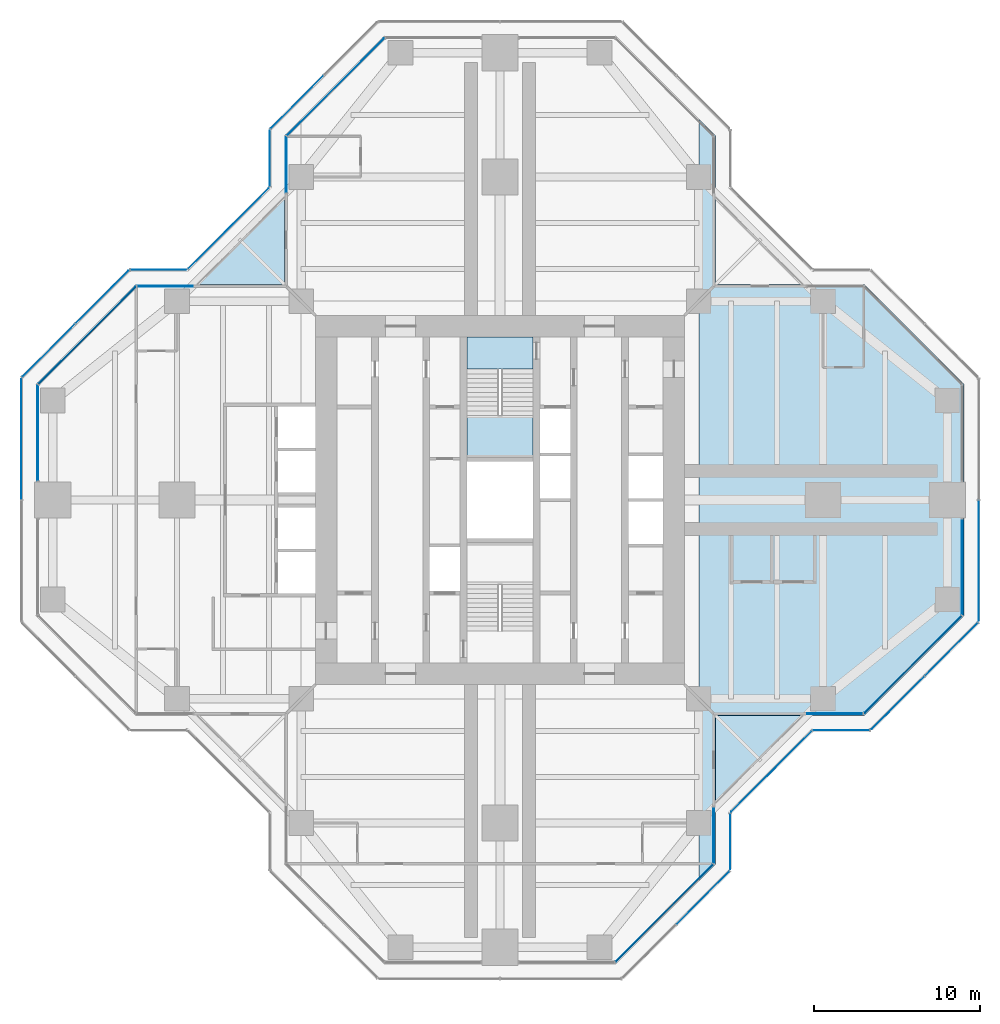
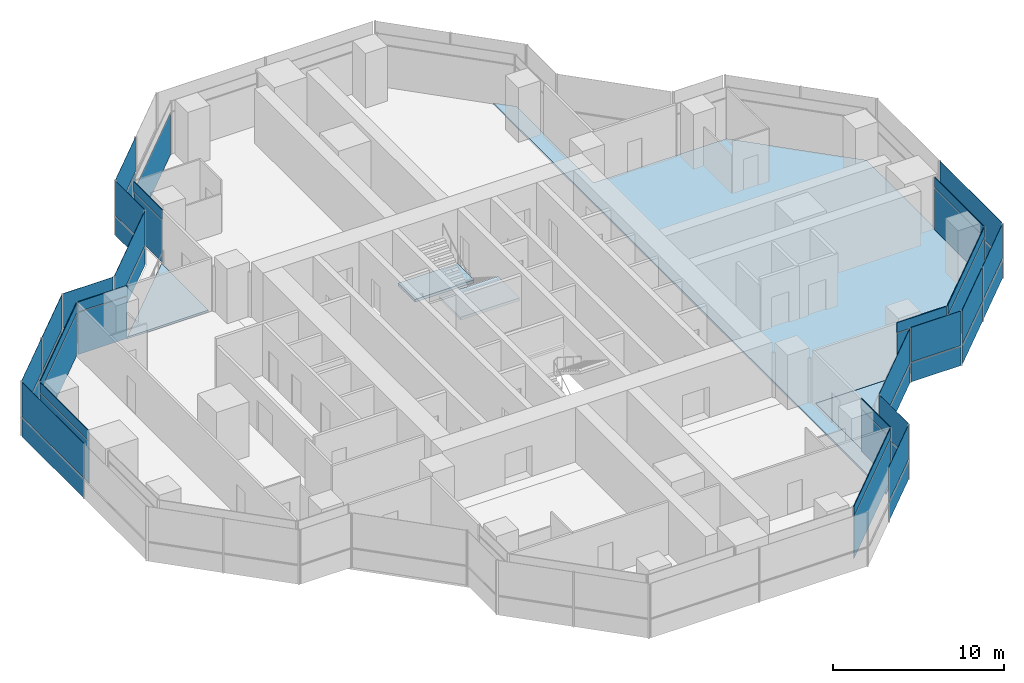
# One storey, part 11 of 17: 47 plates, 5 slabs, 23 elements without a shape of their own.
"""IFC4 building model written with IfcOpenShell, lengths in metres."""

import ifcopenshell
import ifcopenshell.guid

model = None  # the IFC model being written
_history = None  # IfcOwnerHistory: only IFC2X3 demands one
_inside = {}  # id of a spatial element -> (the spatial element, [elements in it])
_under = {}  # id of a project, library or spatial element -> (it, [spatial elements below it])
_declared = {}  # id of a project -> (the project, [libraries it declares])
_typed = {}  # id of a type object -> (the type object, [elements of that type])
_made_of = {}  # id of a material, layer set ... -> (it, [elements and type objects made of it])


def new_model(schema):
    """Start an empty IFC model of exactly this schema.

    Asked for "IFC4X3", IfcOpenShell would pick the latest addendum, in which some entities
    have other attributes; the version numbers below select the first issue.
    IFC2X3 requires an IfcOwnerHistory on every rooted entity: one is made here for all.
    """
    global model, _history
    if schema == "IFC4X3":
        model = ifcopenshell.file(schema_version=(4, 3, 0, 0))
    else:
        model = ifcopenshell.file(schema=schema)
    _inside.clear()
    _under.clear()
    _declared.clear()
    _typed.clear()
    _made_of.clear()
    _history = None
    if model.schema == "IFC2X3":
        org = make("IfcOrganization", Name="unknown")
        user = make(
            "IfcPersonAndOrganization",
            ThePerson=make("IfcPerson", FamilyName="unknown"),
            TheOrganization=org,
        )
        app = make(
            "IfcApplication",
            ApplicationDeveloper=org,
            Version="unknown",
            ApplicationFullName="unknown",
            ApplicationIdentifier="unknown",
        )
        _history = make(
            "IfcOwnerHistory",
            OwningUser=user,
            OwningApplication=app,
            ChangeAction="ADDED",
            CreationDate=0,
        )
    return model


def make(cls, **values):
    """One entity of the class cls with the attributes given. An attribute that is None is left unset."""
    return model.create_entity(
        cls, **{name: value for name, value in values.items() if value is not None}
    )


def rooted(cls, **values):
    """An entity with a GlobalId (a new one), such as an element, a storey or a relation."""
    return make(cls, GlobalId=ifcopenshell.guid.new(), OwnerHistory=_history, **values)


def si_unit(unit_type, name, prefix=None):
    """IfcSIUnit, for example si_unit("LENGTHUNIT", "METRE", prefix="MILLI")."""
    return make("IfcSIUnit", UnitType=unit_type, Prefix=prefix, Name=name)


def assignment(units):
    """IfcUnitAssignment: the units of a project."""
    return None if units is None else make("IfcUnitAssignment", Units=units)


def point(xyz):
    """IfcCartesianPoint."""
    return None if xyz is None else make("IfcCartesianPoint", Coordinates=xyz)


def direction(xyz):
    """IfcDirection."""
    return None if xyz is None else make("IfcDirection", DirectionRatios=xyz)


def frame(location, z_axis=None, x_axis=None):
    """IfcAxis2Placement3D, a coordinate frame: its origin and axes. An axis left out is left unset."""
    return make(
        "IfcAxis2Placement3D",
        Location=point(location),
        Axis=direction(z_axis),
        RefDirection=direction(x_axis),
    )


def frame_2d(location, x_axis=None):
    """IfcAxis2Placement2D, a coordinate frame in the plane: its origin and x axis."""
    return make(
        "IfcAxis2Placement2D", Location=point(location), RefDirection=direction(x_axis)
    )


def origin():
    """The frame at (0, 0, 0) with its axes left unset."""
    return frame((0.0, 0.0, 0.0))


def origin_2d():
    """The frame at (0, 0) in the plane with its x axis left unset."""
    return frame_2d((0.0, 0.0))


def place(relative_to, where):
    """IfcLocalPlacement: puts the frame where relative to a parent placement (None: the world)."""
    return make(
        "IfcLocalPlacement", PlacementRelTo=relative_to, RelativePlacement=where
    )


def context(
    kind, dimensions, precision=None, world=None, true_north=None, identifier=None
):
    """IfcGeometricRepresentationContext, for example the 3D "Model" context."""
    return make(
        "IfcGeometricRepresentationContext",
        ContextIdentifier=identifier,
        ContextType=kind,
        CoordinateSpaceDimension=dimensions,
        Precision=precision,
        WorldCoordinateSystem=world,
        TrueNorth=true_north,
    )


def subcontext(parent, identifier, kind, view, scale=None):
    """IfcGeometricRepresentationSubContext, for example "Body" below "Model"."""
    return make(
        "IfcGeometricRepresentationSubContext",
        ContextIdentifier=identifier,
        ContextType=kind,
        ParentContext=parent,
        TargetScale=scale,
        TargetView=view,
    )


def project(units=None, contexts=None):
    """IfcProject with its units and contexts."""
    return rooted(
        "IfcProject",
        Name="project",
        RepresentationContexts=contexts,
        UnitsInContext=assignment(units),
    )


def spatial(cls, under=None, at=None, **own):
    """A site, building, storey or space (cls), placed at a placement, below another one or the project."""
    s = rooted(cls, ObjectPlacement=at, **own)
    if under is not None:
        _under.setdefault(under.id(), (under, []))[1].append(s)
    return s


def polyline(points):
    """IfcPolyline through the points."""
    return make("IfcPolyline", Points=[point(p) for p in points])


def profile(cls, at=None, kind="AREA", **sizes):
    """A parametric profile (cls). Its sizes go by their IFC names, for example OverallWidth=200.0."""
    return make(cls, ProfileType=kind, Position=at, **sizes)


def rectangle(**sizes):
    """IfcRectangleProfileDef."""
    return profile("IfcRectangleProfileDef", **sizes)


def outline(outer, holes=None, kind="AREA"):
    """IfcArbitraryClosedProfileDef: a profile drawn as a closed curve; with holes, ...WithVoids."""
    if holes is None:
        return make("IfcArbitraryClosedProfileDef", ProfileType=kind, OuterCurve=outer)
    return make(
        "IfcArbitraryProfileDefWithVoids",
        ProfileType=kind,
        OuterCurve=outer,
        InnerCurves=holes,
    )


def extrude(swept, where, along, depth):
    """IfcExtrudedAreaSolid: the profile swept, set in the frame where, extruded along a direction by depth."""
    return make(
        "IfcExtrudedAreaSolid",
        SweptArea=swept,
        Position=where,
        ExtrudedDirection=direction(along),
        Depth=depth,
    )


def shape(context_of_items, identifier, shape_type, items):
    """IfcShapeRepresentation: the items that make up one representation, for example the "Body"."""
    return make(
        "IfcShapeRepresentation",
        ContextOfItems=context_of_items,
        RepresentationIdentifier=identifier,
        RepresentationType=shape_type,
        Items=items,
    )


def material(Name=None, Category=None):
    """IfcMaterial."""
    return make("IfcMaterial", Name=Name, Category=Category)


def layer(
    of_material, thickness, ventilated=None, Name=None, Category=None, Priority=None
):
    """IfcMaterialLayer: one layer of a wall or slab, of a material (None: an air gap)."""
    return make(
        "IfcMaterialLayer",
        Material=of_material,
        LayerThickness=thickness,
        IsVentilated=ventilated,
        Name=Name,
        Category=Category,
        Priority=Priority,
    )


def layer_set(layers, Name=None):
    """IfcMaterialLayerSet."""
    return make("IfcMaterialLayerSet", MaterialLayers=layers, LayerSetName=Name)


def made_of(thing, what):
    """Note that an element or type object is made of a material, layer set ...; save() writes the relation."""
    if what is not None:
        _made_of.setdefault(what.id(), (what, []))[1].append(thing)
    return thing


def type_object(cls, material=None, **own):
    """A type object (cls), such as IfcWallType, which elements share."""
    return made_of(rooted(cls, **own), material)


def element(
    cls,
    number,
    at=None,
    inside=None,
    cuts=None,
    type_object=None,
    material=None,
    context=None,
    identifier="Body",
    shape_type=None,
    held_by="IfcProductDefinitionShape",
    body=None,
    shapes=None,
    **own,
):
    """One element of the class cls, such as IfcWall. Its Tag is "e" and its number.

    at: its placement. inside: the storey or other place that contains it. cuts: it is an
    opening in that element (IfcRelVoidsElement). A single representation is given by context,
    identifier, shape_type and body (its items); several are given by shapes. held_by: the class
    of the entity that holds the representations. save() writes the other relations.
    """
    e = rooted(cls, Tag="e%d" % number, ObjectPlacement=at, **own)
    if body is not None:
        shapes = [shape(context, identifier, shape_type, body)]
    if shapes is not None:
        e.Representation = make(held_by, Representations=shapes)
    if inside is not None:
        _inside.setdefault(inside.id(), (inside, []))[1].append(e)
    if cuts is not None:
        rooted(
            "IfcRelVoidsElement", RelatingBuildingElement=cuts, RelatedOpeningElement=e
        )
    if type_object is not None:
        _typed.setdefault(type_object.id(), (type_object, []))[1].append(e)
    return made_of(e, material)


def aggregate(whole, parts):
    """IfcRelAggregates: a whole, such as a stair, and the parts it consists of."""
    return rooted("IfcRelAggregates", RelatingObject=whole, RelatedObjects=parts)


def save(model, path):
    """Write the relations noted so far, then the file.

    IfcRelAggregates (storeys below a building ...), IfcRelContainedInSpatialStructure (elements
    in a storey), IfcRelDefinesByType, IfcRelAssociatesMaterial and IfcRelDeclares: one each for
    every whole, place, type object, material and project.
    """
    for whole, parts in _under.values():
        aggregate(whole, parts)
    for where, things in _inside.values():
        rooted(
            "IfcRelContainedInSpatialStructure",
            RelatedElements=things,
            RelatingStructure=where,
        )
    for kind, things in _typed.values():
        rooted("IfcRelDefinesByType", RelatedObjects=things, RelatingType=kind)
    for what, things in _made_of.values():
        rooted("IfcRelAssociatesMaterial", RelatedObjects=things, RelatingMaterial=what)
    for by, libraries in _declared.values():
        rooted("IfcRelDeclares", RelatingContext=by, RelatedDefinitions=libraries)
    model.write(path)


model = new_model("IFC4")

# Units and contexts
model_context = context("Model", 3, precision=1e-05, world=origin(), true_north=direction((0.0, 1.0)))
body_context = subcontext(model_context, "Body", "Model", "MODEL_VIEW")
ifc_project = project(units=[si_unit("LENGTHUNIT", "METRE"), si_unit("AREAUNIT", "SQUARE_METRE"), si_unit("VOLUMEUNIT", "CUBIC_METRE"), si_unit("PLANEANGLEUNIT", "RADIAN"), si_unit("MASSUNIT", "GRAM", prefix="KILO")], contexts=[model_context])

# Site, building, storey
site_placement = place(None, origin())
site = spatial("IfcSite", under=ifc_project, at=site_placement, CompositionType="ELEMENT")
building_placement = place(site_placement, origin())
building = spatial("IfcBuilding", under=site, at=building_placement, Name="Mizan Broadcast Tower", CompositionType="ELEMENT")
storey_placement = place(building_placement, frame((0.0, 0.0, 243.89990234375)))
storey = spatial("IfcBuildingStorey", under=building, at=storey_placement, Name="L57", CompositionType="ELEMENT", Elevation=243.89990234375)

# Slab
ifc_material_1 = material(Name="Concrete C32/40", Category="concrete")
ifc_layer_1 = layer(ifc_material_1, 0.1298828125)
ifc_layer_set_1 = layer_set([ifc_layer_1], Name="Concrete C32/40")
slab_type_1 = type_object("IfcSlabType", Name="COMPOSITE DECK SLAB 130", PredefinedType="FLOOR", material=ifc_layer_set_1)
slab_1_placement = place(storey_placement, frame((0.0, 0.0, -0.1298828125)))
element("IfcSlab", 1, at=slab_1_placement, inside=storey, type_object=slab_type_1, Name="Floor slab L57 east arm", PredefinedType="FLOOR", context=body_context, shape_type="SweptSolid", body=[
    extrude(outline(polyline([(13.0, 22.0), (12.0, 23.0), (12.0, -23.0), (13.0, -22.0), (13.0, -13.0), (22.0, -13.0), (28.0, -7.0), (28.0, 7.0), (22.0, 13.0), (13.0, 13.0), (13.0, 22.0)])), origin(), (0.0, 0.0, 1.0), 0.1298828125),
])

# Curtain wall, plate
ifc_material_2 = material(Name="Aluminium framed glazing", Category="aluminium")
curtain_wall_type_1 = type_object("IfcCurtainWallType", Name="INNER SKIN HIGH ZONE", PredefinedType="USERDEFINED", material=ifc_material_2)
curtain_wall_1_placement = place(storey_placement, origin())
curtain_wall_1 = element("IfcCurtainWall", 2, at=curtain_wall_1_placement, inside=storey, type_object=curtain_wall_type_1, Name="Inner skin high zone L57 E side", ObjectType="INNER SKIN HIGH ZONE", PredefinedType="USERDEFINED")
ifc_material_3 = material(Name="Double glazing, clear low-e", Category="glass")
ifc_layer_2 = layer(ifc_material_3, 0.028076171875)
ifc_layer_set_2 = layer_set([ifc_layer_2], Name="Double glazing, clear low-e")
plate_type_1 = type_object("IfcPlateType", Name="INNER SKIN GLAZING UNIT", PredefinedType="CURTAIN_PANEL", material=ifc_layer_set_2)
plate_1_placement = place(storey_placement, frame((20.229248046875, -12.89990234375, 0.0), z_axis=(0.0, 0.0, 1.0), x_axis=(1.0, 0.0, 0.0)))
plate_1 = element("IfcPlate", 3, at=plate_1_placement, type_object=plate_type_1, Name="Inner skin high zone L57 E side panel 1.1", PredefinedType="CURTAIN_PANEL", context=body_context, shape_type="SweptSolid", body=[
    extrude(rectangle(XDim=3.338623046875, YDim=0.028076171875, at=origin_2d()), origin(), (0.0, 0.0, 1.0), 3.0),
])

curtain_wall_2_placement = place(storey_placement, origin())
curtain_wall_2 = element("IfcCurtainWall", 4, at=curtain_wall_2_placement, inside=storey, type_object=curtain_wall_type_1, Name="Inner skin high zone L57 E chamfer", ObjectType="INNER SKIN HIGH ZONE", PredefinedType="USERDEFINED")
plate_2_placement = place(storey_placement, frame((24.92919921875, -9.92919921875, 0.0), z_axis=(0.0, 0.0, 1.0), x_axis=(0.707106781187, 0.707106781187, 0.0)))
plate_2 = element("IfcPlate", 5, at=plate_2_placement, type_object=plate_type_1, Name="Inner skin high zone L57 E chamfer panel 1.1", PredefinedType="CURTAIN_PANEL", context=body_context, shape_type="SweptSolid", body=[
    extrude(rectangle(XDim=8.282470703125, YDim=0.028076171875, at=origin_2d()), origin(), (0.0, 0.0, 1.0), 3.0),
])

curtain_wall_3_placement = place(storey_placement, origin())
curtain_wall_3 = element("IfcCurtainWall", 6, at=curtain_wall_3_placement, inside=storey, type_object=curtain_wall_type_1, Name="Inner skin high zone L57 E end", ObjectType="INNER SKIN HIGH ZONE", PredefinedType="USERDEFINED")
plate_3_placement = place(storey_placement, frame((27.89990234375, -4.029296875, 0.0), z_axis=(0.0, 0.0, 1.0), x_axis=(0.0, 1.0, 0.0)))
plate_3 = element("IfcPlate", 7, at=plate_3_placement, type_object=plate_type_1, Name="Inner skin high zone L57 E end panel 1.1", PredefinedType="CURTAIN_PANEL", context=body_context, shape_type="SweptSolid", body=[
    extrude(rectangle(XDim=5.738525390625, YDim=0.028076171875, at=origin_2d()), origin(), (0.0, 0.0, 1.0), 3.0),
])

curtain_wall_4_placement = place(storey_placement, origin())
curtain_wall_4 = element("IfcCurtainWall", 8, at=curtain_wall_4_placement, inside=storey, type_object=curtain_wall_type_1, Name="Inner skin high zone L57 N chamfer", ObjectType="INNER SKIN HIGH ZONE", PredefinedType="USERDEFINED")
plate_4_placement = place(storey_placement, frame((-9.92919921875, 24.92919921875, 0.0), z_axis=(0.0, 0.0, 1.0), x_axis=(-0.707106781187, -0.707106781187, 0.0)))
plate_4 = element("IfcPlate", 9, at=plate_4_placement, type_object=plate_type_1, Name="Inner skin high zone L57 N chamfer panel 1.1", PredefinedType="CURTAIN_PANEL", context=body_context, shape_type="SweptSolid", body=[
    extrude(rectangle(XDim=8.282470703125, YDim=0.028076171875, at=origin_2d()), origin(), (0.0, 0.0, 1.0), 3.0),
])
aggregate(curtain_wall_4, [plate_4])

curtain_wall_5_placement = place(storey_placement, origin())
curtain_wall_5 = element("IfcCurtainWall", 10, at=curtain_wall_5_placement, inside=storey, type_object=curtain_wall_type_1, Name="Inner skin high zone L57 N side", ObjectType="INNER SKIN HIGH ZONE", PredefinedType="USERDEFINED")
plate_5_placement = place(storey_placement, frame((-12.89990234375, 20.229248046875, 0.0), z_axis=(0.0, 0.0, 1.0), x_axis=(0.0, -1.0, 0.0)))
plate_5 = element("IfcPlate", 11, at=plate_5_placement, type_object=plate_type_1, Name="Inner skin high zone L57 N side panel 1.1", PredefinedType="CURTAIN_PANEL", context=body_context, shape_type="SweptSolid", body=[
    extrude(rectangle(XDim=3.338623046875, YDim=0.028076171875, at=origin_2d()), origin(), (0.0, 0.0, 1.0), 3.0),
])

curtain_wall_6_placement = place(storey_placement, origin())
curtain_wall_6 = element("IfcCurtainWall", 12, at=curtain_wall_6_placement, inside=storey, type_object=curtain_wall_type_1, Name="Inner skin high zone L57 W side", ObjectType="INNER SKIN HIGH ZONE", PredefinedType="USERDEFINED")
plate_6_placement = place(storey_placement, frame((-20.229248046875, 12.89990234375, 0.0), z_axis=(0.0, 0.0, 1.0), x_axis=(-1.0, 0.0, 0.0)))
plate_6 = element("IfcPlate", 13, at=plate_6_placement, type_object=plate_type_1, Name="Inner skin high zone L57 W side panel 1.1", PredefinedType="CURTAIN_PANEL", context=body_context, shape_type="SweptSolid", body=[
    extrude(rectangle(XDim=3.338623046875, YDim=0.028076171875, at=origin_2d()), origin(), (0.0, 0.0, 1.0), 3.0),
])

curtain_wall_7_placement = place(storey_placement, origin())
curtain_wall_7 = element("IfcCurtainWall", 14, at=curtain_wall_7_placement, inside=storey, type_object=curtain_wall_type_1, Name="Inner skin high zone L57 W chamfer", ObjectType="INNER SKIN HIGH ZONE", PredefinedType="USERDEFINED")
plate_7_placement = place(storey_placement, frame((-24.92919921875, 9.92919921875, 0.0), z_axis=(0.0, 0.0, 1.0), x_axis=(-0.707106781187, -0.707106781187, 0.0)))
plate_7 = element("IfcPlate", 15, at=plate_7_placement, type_object=plate_type_1, Name="Inner skin high zone L57 W chamfer panel 1.1", PredefinedType="CURTAIN_PANEL", context=body_context, shape_type="SweptSolid", body=[
    extrude(rectangle(XDim=8.282470703125, YDim=0.028076171875, at=origin_2d()), origin(), (0.0, 0.0, 1.0), 3.0),
])

curtain_wall_8_placement = place(storey_placement, origin())
curtain_wall_8 = element("IfcCurtainWall", 16, at=curtain_wall_8_placement, inside=storey, type_object=curtain_wall_type_1, Name="Inner skin high zone L57 W end", ObjectType="INNER SKIN HIGH ZONE", PredefinedType="USERDEFINED")
plate_8_placement = place(storey_placement, frame((-27.89990234375, 4.029296875, 0.0), z_axis=(0.0, 0.0, 1.0), x_axis=(0.0, -1.0, 0.0)))
plate_8 = element("IfcPlate", 17, at=plate_8_placement, type_object=plate_type_1, Name="Inner skin high zone L57 W end panel 1.1", PredefinedType="CURTAIN_PANEL", context=body_context, shape_type="SweptSolid", body=[
    extrude(rectangle(XDim=5.738525390625, YDim=0.028076171875, at=origin_2d()), origin(), (0.0, 0.0, 1.0), 3.0),
])

curtain_wall_9_placement = place(storey_placement, origin())
curtain_wall_9 = element("IfcCurtainWall", 18, at=curtain_wall_9_placement, inside=storey, type_object=curtain_wall_type_1, Name="Inner skin high zone L57 S chamfer", ObjectType="INNER SKIN HIGH ZONE", PredefinedType="USERDEFINED")
plate_9_placement = place(storey_placement, frame((9.92919921875, -24.92919921875, 0.0), z_axis=(0.0, 0.0, 1.0), x_axis=(0.707106781187, 0.707106781187, 0.0)))
plate_9 = element("IfcPlate", 19, at=plate_9_placement, type_object=plate_type_1, Name="Inner skin high zone L57 S chamfer panel 1.1", PredefinedType="CURTAIN_PANEL", context=body_context, shape_type="SweptSolid", body=[
    extrude(rectangle(XDim=8.282470703125, YDim=0.028076171875, at=origin_2d()), origin(), (0.0, 0.0, 1.0), 3.0),
])

curtain_wall_10_placement = place(storey_placement, origin())
curtain_wall_10 = element("IfcCurtainWall", 20, at=curtain_wall_10_placement, inside=storey, type_object=curtain_wall_type_1, Name="Inner skin high zone L57 S side", ObjectType="INNER SKIN HIGH ZONE", PredefinedType="USERDEFINED")
plate_10_placement = place(storey_placement, frame((12.89990234375, -20.229248046875, 0.0), z_axis=(0.0, 0.0, 1.0), x_axis=(0.0, 1.0, 0.0)))
plate_10 = element("IfcPlate", 21, at=plate_10_placement, type_object=plate_type_1, Name="Inner skin high zone L57 S side panel 1.1", PredefinedType="CURTAIN_PANEL", context=body_context, shape_type="SweptSolid", body=[
    extrude(rectangle(XDim=3.338623046875, YDim=0.028076171875, at=origin_2d()), origin(), (0.0, 0.0, 1.0), 3.0),
])

# Plate
ifc_material_4 = material(Name="Insulated aluminium spandrel panel, pale anodised", Category="aluminium")
ifc_layer_3 = layer(ifc_material_4, 0.050048828125)
ifc_layer_set_3 = layer_set([ifc_layer_3], Name="Insulated aluminium spandrel panel, pale anodised")
plate_type_2 = type_object("IfcPlateType", Name="INNER SKIN SPANDREL PANEL", PredefinedType="CURTAIN_PANEL", material=ifc_layer_set_3)
plate_11_placement = place(storey_placement, frame((20.229248046875, -12.89990234375, 3.06005859375), z_axis=(0.0, 0.0, 1.0), x_axis=(1.0, 0.0, 0.0)))
plate_11 = element("IfcPlate", 22, at=plate_11_placement, type_object=plate_type_2, Name="Inner skin high zone L57 E side panel 1.2", PredefinedType="CURTAIN_PANEL", context=body_context, shape_type="SweptSolid", body=[
    extrude(rectangle(XDim=3.338623046875, YDim=0.050048828125, at=origin_2d()), origin(), (0.0, 0.0, 1.0), 0.7099609375),
])

aggregate(curtain_wall_1, [plate_1, plate_11])

plate_12_placement = place(storey_placement, frame((24.92919921875, -9.92919921875, 3.06005859375), z_axis=(0.0, 0.0, 1.0), x_axis=(0.707106781187, 0.707106781187, 0.0)))
plate_12 = element("IfcPlate", 23, at=plate_12_placement, type_object=plate_type_2, Name="Inner skin high zone L57 E chamfer panel 1.2", PredefinedType="CURTAIN_PANEL", context=body_context, shape_type="SweptSolid", body=[
    extrude(rectangle(XDim=8.282470703125, YDim=0.050048828125, at=origin_2d()), origin(), (0.0, 0.0, 1.0), 0.7099609375),
])

aggregate(curtain_wall_2, [plate_2, plate_12])

plate_13_placement = place(storey_placement, frame((27.89990234375, -4.029296875, 3.06005859375), z_axis=(0.0, 0.0, 1.0), x_axis=(0.0, 1.0, 0.0)))
plate_13 = element("IfcPlate", 24, at=plate_13_placement, type_object=plate_type_2, Name="Inner skin high zone L57 E end panel 1.2", PredefinedType="CURTAIN_PANEL", context=body_context, shape_type="SweptSolid", body=[
    extrude(rectangle(XDim=5.738525390625, YDim=0.050048828125, at=origin_2d()), origin(), (0.0, 0.0, 1.0), 0.7099609375),
])

aggregate(curtain_wall_3, [plate_3, plate_13])

plate_14_placement = place(storey_placement, frame((-12.89990234375, 20.229248046875, 3.06005859375), z_axis=(0.0, 0.0, 1.0), x_axis=(0.0, -1.0, 0.0)))
plate_14 = element("IfcPlate", 25, at=plate_14_placement, type_object=plate_type_2, Name="Inner skin high zone L57 N side panel 1.2", PredefinedType="CURTAIN_PANEL", context=body_context, shape_type="SweptSolid", body=[
    extrude(rectangle(XDim=3.338623046875, YDim=0.050048828125, at=origin_2d()), origin(), (0.0, 0.0, 1.0), 0.7099609375),
])

aggregate(curtain_wall_5, [plate_5, plate_14])

plate_15_placement = place(storey_placement, frame((-20.229248046875, 12.89990234375, 3.06005859375), z_axis=(0.0, 0.0, 1.0), x_axis=(-1.0, 0.0, 0.0)))
plate_15 = element("IfcPlate", 26, at=plate_15_placement, type_object=plate_type_2, Name="Inner skin high zone L57 W side panel 1.2", PredefinedType="CURTAIN_PANEL", context=body_context, shape_type="SweptSolid", body=[
    extrude(rectangle(XDim=3.338623046875, YDim=0.050048828125, at=origin_2d()), origin(), (0.0, 0.0, 1.0), 0.7099609375),
])

aggregate(curtain_wall_6, [plate_6, plate_15])

plate_16_placement = place(storey_placement, frame((-24.92919921875, 9.92919921875, 3.06005859375), z_axis=(0.0, 0.0, 1.0), x_axis=(-0.707106781187, -0.707106781187, 0.0)))
plate_16 = element("IfcPlate", 27, at=plate_16_placement, type_object=plate_type_2, Name="Inner skin high zone L57 W chamfer panel 1.2", PredefinedType="CURTAIN_PANEL", context=body_context, shape_type="SweptSolid", body=[
    extrude(rectangle(XDim=8.282470703125, YDim=0.050048828125, at=origin_2d()), origin(), (0.0, 0.0, 1.0), 0.7099609375),
])

aggregate(curtain_wall_7, [plate_7, plate_16])

plate_17_placement = place(storey_placement, frame((-27.89990234375, 4.029296875, 3.06005859375), z_axis=(0.0, 0.0, 1.0), x_axis=(0.0, -1.0, 0.0)))
plate_17 = element("IfcPlate", 28, at=plate_17_placement, type_object=plate_type_2, Name="Inner skin high zone L57 W end panel 1.2", PredefinedType="CURTAIN_PANEL", context=body_context, shape_type="SweptSolid", body=[
    extrude(rectangle(XDim=5.738525390625, YDim=0.050048828125, at=origin_2d()), origin(), (0.0, 0.0, 1.0), 0.7099609375),
])

aggregate(curtain_wall_8, [plate_8, plate_17])

plate_18_placement = place(storey_placement, frame((9.92919921875, -24.92919921875, 3.06005859375), z_axis=(0.0, 0.0, 1.0), x_axis=(0.707106781187, 0.707106781187, 0.0)))
plate_18 = element("IfcPlate", 29, at=plate_18_placement, type_object=plate_type_2, Name="Inner skin high zone L57 S chamfer panel 1.2", PredefinedType="CURTAIN_PANEL", context=body_context, shape_type="SweptSolid", body=[
    extrude(rectangle(XDim=8.282470703125, YDim=0.050048828125, at=origin_2d()), origin(), (0.0, 0.0, 1.0), 0.7099609375),
])

aggregate(curtain_wall_9, [plate_9, plate_18])

plate_19_placement = place(storey_placement, frame((12.89990234375, -20.229248046875, 3.06005859375), z_axis=(0.0, 0.0, 1.0), x_axis=(0.0, 1.0, 0.0)))
plate_19 = element("IfcPlate", 30, at=plate_19_placement, type_object=plate_type_2, Name="Inner skin high zone L57 S side panel 1.2", PredefinedType="CURTAIN_PANEL", context=body_context, shape_type="SweptSolid", body=[
    extrude(rectangle(XDim=3.338623046875, YDim=0.050048828125, at=origin_2d()), origin(), (0.0, 0.0, 1.0), 0.7099609375),
])

aggregate(curtain_wall_10, [plate_10, plate_19])

# Curtain wall, plates
ifc_material_5 = material(Name="Aluminium framed glazing", Category="aluminium")
curtain_wall_type_2 = type_object("IfcCurtainWallType", Name="OUTER SKIN", PredefinedType="USERDEFINED", material=ifc_material_5)
curtain_wall_11_placement = place(storey_placement, origin())
curtain_wall_11 = element("IfcCurtainWall", 31, at=curtain_wall_11_placement, inside=storey, type_object=curtain_wall_type_2, Name="Outer skin L57 E chamfer", ObjectType="OUTER SKIN", PredefinedType="USERDEFINED")
ifc_material_6 = material(Name="Laminated clear glass", Category="glass")
ifc_layer_4 = layer(ifc_material_6, 0.02001953125)
ifc_layer_set_4 = layer_set([ifc_layer_4], Name="Laminated clear glass")
plate_type_3 = type_object("IfcPlateType", Name="OUTER SKIN CLEAR GLASS", PredefinedType="CURTAIN_PANEL", material=ifc_layer_set_4)
plate_20_placement = place(storey_placement, frame((24.018798828125, -12.254150390625, 0.0), z_axis=(0.0, 0.0, 1.0), x_axis=(0.707106781187, 0.707106781187, 0.0)))
plate_20 = element("IfcPlate", 32, at=plate_20_placement, type_object=plate_type_3, Name="Outer skin L57 E chamfer panel 1.1", PredefinedType="CURTAIN_PANEL", context=body_context, shape_type="SweptSolid", body=[
    extrude(rectangle(XDim=4.495361328125, YDim=0.02001953125, at=origin_2d()), origin(), (0.0, 0.0, 1.0), 1.3701171875),
])
plate_21_placement = place(storey_placement, frame((24.018798828125, -12.254150390625, 1.43017578125), z_axis=(0.0, 0.0, 1.0), x_axis=(0.707106781187, 0.707106781187, 0.0)))
plate_21 = element("IfcPlate", 33, at=plate_21_placement, type_object=plate_type_3, Name="Outer skin L57 E chamfer panel 1.2", PredefinedType="CURTAIN_PANEL", context=body_context, shape_type="SweptSolid", body=[
    extrude(rectangle(XDim=4.495361328125, YDim=0.02001953125, at=origin_2d()), origin(), (0.0, 0.0, 1.0), 2.469970703125),
])

curtain_wall_12_placement = place(storey_placement, origin())
curtain_wall_12 = element("IfcCurtainWall", 34, at=curtain_wall_12_placement, inside=storey, type_object=curtain_wall_type_2, Name="Outer skin L57 E end", ObjectType="OUTER SKIN", PredefinedType="USERDEFINED")
plate_22_placement = place(storey_placement, frame((28.89990234375, -3.66650390625, 0.0), z_axis=(0.0, 0.0, 1.0), x_axis=(0.0, 1.0, 0.0)))
plate_22 = element("IfcPlate", 35, at=plate_22_placement, type_object=plate_type_3, Name="Outer skin L57 E end panel 1.1", PredefinedType="CURTAIN_PANEL", context=body_context, shape_type="SweptSolid", body=[
    extrude(rectangle(XDim=7.252685546875, YDim=0.02001953125, at=origin_2d()), origin(), (0.0, 0.0, 1.0), 1.3701171875),
])
plate_23_placement = place(storey_placement, frame((28.89990234375, -3.66650390625, 1.43017578125), z_axis=(0.0, 0.0, 1.0), x_axis=(0.0, 1.0, 0.0)))
plate_23 = element("IfcPlate", 36, at=plate_23_placement, type_object=plate_type_3, Name="Outer skin L57 E end panel 1.2", PredefinedType="CURTAIN_PANEL", context=body_context, shape_type="SweptSolid", body=[
    extrude(rectangle(XDim=7.252685546875, YDim=0.02001953125, at=origin_2d()), origin(), (0.0, 0.0, 1.0), 2.469970703125),
])
aggregate(curtain_wall_12, [plate_22, plate_23])

curtain_wall_13_placement = place(storey_placement, origin())
curtain_wall_13 = element("IfcCurtainWall", 37, at=curtain_wall_13_placement, inside=storey, type_object=curtain_wall_type_2, Name="Outer skin L57 N side", ObjectType="OUTER SKIN", PredefinedType="USERDEFINED")
plate_24_placement = place(storey_placement, frame((-13.89990234375, 20.622802734375, 0.0), z_axis=(0.0, 0.0, 1.0), x_axis=(0.0, -1.0, 0.0)))
plate_24 = element("IfcPlate", 38, at=plate_24_placement, type_object=plate_type_3, Name="Outer skin L57 N side panel 1.1", PredefinedType="CURTAIN_PANEL", context=body_context, shape_type="SweptSolid", body=[
    extrude(rectangle(XDim=3.340087890625, YDim=0.02001953125, at=origin_2d()), origin(), (0.0, 0.0, 1.0), 1.3701171875),
])
plate_25_placement = place(storey_placement, frame((-13.89990234375, 20.622802734375, 1.43017578125), z_axis=(0.0, 0.0, 1.0), x_axis=(0.0, -1.0, 0.0)))
plate_25 = element("IfcPlate", 39, at=plate_25_placement, type_object=plate_type_3, Name="Outer skin L57 N side panel 1.2", PredefinedType="CURTAIN_PANEL", context=body_context, shape_type="SweptSolid", body=[
    extrude(rectangle(XDim=3.340087890625, YDim=0.02001953125, at=origin_2d()), origin(), (0.0, 0.0, 1.0), 2.469970703125),
])
aggregate(curtain_wall_13, [plate_24, plate_25])

curtain_wall_14_placement = place(storey_placement, origin())
curtain_wall_14 = element("IfcCurtainWall", 40, at=curtain_wall_14_placement, inside=storey, type_object=curtain_wall_type_2, Name="Outer skin L57 W chamfer", ObjectType="OUTER SKIN", PredefinedType="USERDEFINED")
plate_26_placement = place(storey_placement, frame((-16.386474609375, 16.386474609375, 0.0), z_axis=(0.0, 0.0, 1.0), x_axis=(-0.707106781187, -0.707106781187, 0.0)))
plate_26 = element("IfcPlate", 41, at=plate_26_placement, type_object=plate_type_3, Name="Outer skin L57 W chamfer panel 1.1", PredefinedType="CURTAIN_PANEL", context=body_context, shape_type="SweptSolid", body=[
    extrude(rectangle(XDim=6.87255859375, YDim=0.02001953125, at=origin_2d()), origin(), (0.0, 0.0, 1.0), 1.3701171875),
])
plate_27_placement = place(storey_placement, frame((-16.386474609375, 16.386474609375, 1.43017578125), z_axis=(0.0, 0.0, 1.0), x_axis=(-0.707106781187, -0.707106781187, 0.0)))
plate_27 = element("IfcPlate", 42, at=plate_27_placement, type_object=plate_type_3, Name="Outer skin L57 W chamfer panel 1.2", PredefinedType="CURTAIN_PANEL", context=body_context, shape_type="SweptSolid", body=[
    extrude(rectangle(XDim=6.87255859375, YDim=0.02001953125, at=origin_2d()), origin(), (0.0, 0.0, 1.0), 2.469970703125),
])
aggregate(curtain_wall_14, [plate_26, plate_27])

curtain_wall_15_placement = place(storey_placement, origin())
curtain_wall_15 = element("IfcCurtainWall", 43, at=curtain_wall_15_placement, inside=storey, type_object=curtain_wall_type_2, Name="Outer skin L57 W side", ObjectType="OUTER SKIN", PredefinedType="USERDEFINED")
plate_28_placement = place(storey_placement, frame((-20.622802734375, 13.89990234375, 0.0), z_axis=(0.0, 0.0, 1.0), x_axis=(-1.0, 0.0, 0.0)))
plate_28 = element("IfcPlate", 44, at=plate_28_placement, type_object=plate_type_3, Name="Outer skin L57 W side panel 1.1", PredefinedType="CURTAIN_PANEL", context=body_context, shape_type="SweptSolid", body=[
    extrude(rectangle(XDim=3.340087890625, YDim=0.02001953125, at=origin_2d()), origin(), (0.0, 0.0, 1.0), 1.3701171875),
])
plate_29_placement = place(storey_placement, frame((-20.622802734375, 13.89990234375, 1.43017578125), z_axis=(0.0, 0.0, 1.0), x_axis=(-1.0, 0.0, 0.0)))
plate_29 = element("IfcPlate", 45, at=plate_29_placement, type_object=plate_type_3, Name="Outer skin L57 W side panel 1.2", PredefinedType="CURTAIN_PANEL", context=body_context, shape_type="SweptSolid", body=[
    extrude(rectangle(XDim=3.340087890625, YDim=0.02001953125, at=origin_2d()), origin(), (0.0, 0.0, 1.0), 2.469970703125),
])
aggregate(curtain_wall_15, [plate_28, plate_29])

curtain_wall_16_placement = place(storey_placement, origin())
curtain_wall_16 = element("IfcCurtainWall", 46, at=curtain_wall_16_placement, inside=storey, type_object=curtain_wall_type_2, Name="Outer skin L57 W chamfer", ObjectType="OUTER SKIN", PredefinedType="USERDEFINED")
plate_30_placement = place(storey_placement, frame((-24.018798828125, 12.254150390625, 0.0), z_axis=(0.0, 0.0, 1.0), x_axis=(-0.707106781187, -0.707106781187, 0.0)))
plate_30 = element("IfcPlate", 47, at=plate_30_placement, type_object=plate_type_3, Name="Outer skin L57 W chamfer panel 1.1", PredefinedType="CURTAIN_PANEL", context=body_context, shape_type="SweptSolid", body=[
    extrude(rectangle(XDim=4.495361328125, YDim=0.02001953125, at=origin_2d()), origin(), (0.0, 0.0, 1.0), 1.3701171875),
])
plate_31_placement = place(storey_placement, frame((-24.018798828125, 12.254150390625, 1.43017578125), z_axis=(0.0, 0.0, 1.0), x_axis=(-0.707106781187, -0.707106781187, 0.0)))
plate_31 = element("IfcPlate", 48, at=plate_31_placement, type_object=plate_type_3, Name="Outer skin L57 W chamfer panel 1.2", PredefinedType="CURTAIN_PANEL", context=body_context, shape_type="SweptSolid", body=[
    extrude(rectangle(XDim=4.495361328125, YDim=0.02001953125, at=origin_2d()), origin(), (0.0, 0.0, 1.0), 2.469970703125),
])

curtain_wall_17_placement = place(storey_placement, origin())
curtain_wall_17 = element("IfcCurtainWall", 49, at=curtain_wall_17_placement, inside=storey, type_object=curtain_wall_type_2, Name="Outer skin L57 W end", ObjectType="OUTER SKIN", PredefinedType="USERDEFINED")
plate_32_placement = place(storey_placement, frame((-28.89990234375, 3.66650390625, 0.0), z_axis=(0.0, 0.0, 1.0), x_axis=(0.0, -1.0, 0.0)))
plate_32 = element("IfcPlate", 50, at=plate_32_placement, type_object=plate_type_3, Name="Outer skin L57 W end panel 1.1", PredefinedType="CURTAIN_PANEL", context=body_context, shape_type="SweptSolid", body=[
    extrude(rectangle(XDim=7.252685546875, YDim=0.02001953125, at=origin_2d()), origin(), (0.0, 0.0, 1.0), 1.3701171875),
])
plate_33_placement = place(storey_placement, frame((-28.89990234375, 3.66650390625, 1.43017578125), z_axis=(0.0, 0.0, 1.0), x_axis=(0.0, -1.0, 0.0)))
plate_33 = element("IfcPlate", 51, at=plate_33_placement, type_object=plate_type_3, Name="Outer skin L57 W end panel 1.2", PredefinedType="CURTAIN_PANEL", context=body_context, shape_type="SweptSolid", body=[
    extrude(rectangle(XDim=7.252685546875, YDim=0.02001953125, at=origin_2d()), origin(), (0.0, 0.0, 1.0), 2.469970703125),
])
aggregate(curtain_wall_17, [plate_32, plate_33])

curtain_wall_18_placement = place(storey_placement, origin())
curtain_wall_18 = element("IfcCurtainWall", 52, at=curtain_wall_18_placement, inside=storey, type_object=curtain_wall_type_2, Name="Outer skin L57 S side", ObjectType="OUTER SKIN", PredefinedType="USERDEFINED")
plate_34_placement = place(storey_placement, frame((13.89990234375, -20.622802734375, 0.0), z_axis=(0.0, 0.0, 1.0), x_axis=(0.0, 1.0, 0.0)))
plate_34 = element("IfcPlate", 53, at=plate_34_placement, type_object=plate_type_3, Name="Outer skin L57 S side panel 1.1", PredefinedType="CURTAIN_PANEL", context=body_context, shape_type="SweptSolid", body=[
    extrude(rectangle(XDim=3.340087890625, YDim=0.02001953125, at=origin_2d()), origin(), (0.0, 0.0, 1.0), 1.3701171875),
])
plate_35_placement = place(storey_placement, frame((13.89990234375, -20.622802734375, 1.43017578125), z_axis=(0.0, 0.0, 1.0), x_axis=(0.0, 1.0, 0.0)))
plate_35 = element("IfcPlate", 54, at=plate_35_placement, type_object=plate_type_3, Name="Outer skin L57 S side panel 1.2", PredefinedType="CURTAIN_PANEL", context=body_context, shape_type="SweptSolid", body=[
    extrude(rectangle(XDim=3.340087890625, YDim=0.02001953125, at=origin_2d()), origin(), (0.0, 0.0, 1.0), 2.469970703125),
])
aggregate(curtain_wall_18, [plate_34, plate_35])

curtain_wall_19_placement = place(storey_placement, origin())
curtain_wall_19 = element("IfcCurtainWall", 55, at=curtain_wall_19_placement, inside=storey, type_object=curtain_wall_type_2, Name="Outer skin L57 E chamfer", ObjectType="OUTER SKIN", PredefinedType="USERDEFINED")
plate_36_placement = place(storey_placement, frame((16.386474609375, -16.386474609375, 0.0), z_axis=(0.0, 0.0, 1.0), x_axis=(0.707106781187, 0.707106781187, 0.0)))
plate_36 = element("IfcPlate", 56, at=plate_36_placement, type_object=plate_type_3, Name="Outer skin L57 E chamfer panel 1.1", PredefinedType="CURTAIN_PANEL", context=body_context, shape_type="SweptSolid", body=[
    extrude(rectangle(XDim=6.87255859375, YDim=0.02001953125, at=origin_2d()), origin(), (0.0, 0.0, 1.0), 1.3701171875),
])
plate_37_placement = place(storey_placement, frame((16.386474609375, -16.386474609375, 1.43017578125), z_axis=(0.0, 0.0, 1.0), x_axis=(0.707106781187, 0.707106781187, 0.0)))
plate_37 = element("IfcPlate", 57, at=plate_37_placement, type_object=plate_type_3, Name="Outer skin L57 E chamfer panel 1.2", PredefinedType="CURTAIN_PANEL", context=body_context, shape_type="SweptSolid", body=[
    extrude(rectangle(XDim=6.87255859375, YDim=0.02001953125, at=origin_2d()), origin(), (0.0, 0.0, 1.0), 2.469970703125),
])
aggregate(curtain_wall_19, [plate_36, plate_37])

curtain_wall_20_placement = place(storey_placement, origin())
curtain_wall_20 = element("IfcCurtainWall", 58, at=curtain_wall_20_placement, inside=storey, type_object=curtain_wall_type_2, Name="Outer skin L57 E side", ObjectType="OUTER SKIN", PredefinedType="USERDEFINED")
plate_38_placement = place(storey_placement, frame((20.622802734375, -13.89990234375, 0.0), z_axis=(0.0, 0.0, 1.0), x_axis=(1.0, 0.0, 0.0)))
plate_38 = element("IfcPlate", 59, at=plate_38_placement, type_object=plate_type_3, Name="Outer skin L57 E side panel 1.1", PredefinedType="CURTAIN_PANEL", context=body_context, shape_type="SweptSolid", body=[
    extrude(rectangle(XDim=3.340087890625, YDim=0.02001953125, at=origin_2d()), origin(), (0.0, 0.0, 1.0), 1.3701171875),
])
plate_39_placement = place(storey_placement, frame((20.622802734375, -13.89990234375, 1.43017578125), z_axis=(0.0, 0.0, 1.0), x_axis=(1.0, 0.0, 0.0)))
plate_39 = element("IfcPlate", 60, at=plate_39_placement, type_object=plate_type_3, Name="Outer skin L57 E side panel 1.2", PredefinedType="CURTAIN_PANEL", context=body_context, shape_type="SweptSolid", body=[
    extrude(rectangle(XDim=3.340087890625, YDim=0.02001953125, at=origin_2d()), origin(), (0.0, 0.0, 1.0), 2.469970703125),
])
aggregate(curtain_wall_20, [plate_38, plate_39])

# Plate
ifc_material_7 = material(Name="Perforated aluminium, pale anodised", Category="aluminium")
ifc_layer_5 = layer(ifc_material_7, 0.011962890625)
ifc_layer_set_5 = layer_set([ifc_layer_5], Name="Perforated aluminium, pale anodised")
plate_type_4 = type_object("IfcPlateType", Name="OUTER SKIN PERFORATED SCREEN", PredefinedType="USERDEFINED", material=ifc_layer_set_5)
plate_40_placement = place(storey_placement, frame((27.254150390625, -9.018798828125, 0.0), z_axis=(0.0, 0.0, 1.0), x_axis=(0.707106781187, 0.707106781187, 0.0)))
plate_40 = element("IfcPlate", 61, at=plate_40_placement, type_object=plate_type_4, Name="Outer skin L57 E chamfer panel 2.1", ObjectType="SCREEN", PredefinedType="USERDEFINED", context=body_context, shape_type="SweptSolid", body=[
    extrude(rectangle(XDim=4.495361328125, YDim=0.011962890625, at=origin_2d()), origin(), (0.0, 0.0, 1.0), 1.3701171875),
])

plate_41_placement = place(storey_placement, frame((27.254150390625, -9.018798828125, 1.43017578125), z_axis=(0.0, 0.0, 1.0), x_axis=(0.707106781187, 0.707106781187, 0.0)))
plate_41 = element("IfcPlate", 62, at=plate_41_placement, type_object=plate_type_4, Name="Outer skin L57 E chamfer panel 2.2", ObjectType="SCREEN", PredefinedType="USERDEFINED", context=body_context, shape_type="SweptSolid", body=[
    extrude(rectangle(XDim=4.495361328125, YDim=0.011962890625, at=origin_2d()), origin(), (0.0, 0.0, 1.0), 2.469970703125),
])

aggregate(curtain_wall_11, [plate_20, plate_21, plate_40, plate_41])

# Curtain wall, plates
curtain_wall_21_placement = place(storey_placement, origin())
curtain_wall_21 = element("IfcCurtainWall", 63, at=curtain_wall_21_placement, inside=storey, type_object=curtain_wall_type_2, Name="Outer skin L57 N chamfer", ObjectType="OUTER SKIN", PredefinedType="USERDEFINED")
plate_42_placement = place(storey_placement, frame((-12.254150390625, 24.018798828125, 0.0), z_axis=(0.0, 0.0, 1.0), x_axis=(-0.707106781187, -0.707106781187, 0.0)))
plate_42 = element("IfcPlate", 64, at=plate_42_placement, type_object=plate_type_4, Name="Outer skin L57 N chamfer panel 2.1", ObjectType="SCREEN", PredefinedType="USERDEFINED", context=body_context, shape_type="SweptSolid", body=[
    extrude(rectangle(XDim=4.495361328125, YDim=0.011962890625, at=origin_2d()), origin(), (0.0, 0.0, 1.0), 1.3701171875),
])
plate_43_placement = place(storey_placement, frame((-12.254150390625, 24.018798828125, 1.43017578125), z_axis=(0.0, 0.0, 1.0), x_axis=(-0.707106781187, -0.707106781187, 0.0)))
plate_43 = element("IfcPlate", 65, at=plate_43_placement, type_object=plate_type_4, Name="Outer skin L57 N chamfer panel 2.2", ObjectType="SCREEN", PredefinedType="USERDEFINED", context=body_context, shape_type="SweptSolid", body=[
    extrude(rectangle(XDim=4.495361328125, YDim=0.011962890625, at=origin_2d()), origin(), (0.0, 0.0, 1.0), 2.469970703125),
])
aggregate(curtain_wall_21, [plate_42, plate_43])

# Plate
plate_44_placement = place(storey_placement, frame((-27.254150390625, 9.018798828125, 0.0), z_axis=(0.0, 0.0, 1.0), x_axis=(-0.707106781187, -0.707106781187, 0.0)))
plate_44 = element("IfcPlate", 66, at=plate_44_placement, type_object=plate_type_4, Name="Outer skin L57 W chamfer panel 2.1", ObjectType="SCREEN", PredefinedType="USERDEFINED", context=body_context, shape_type="SweptSolid", body=[
    extrude(rectangle(XDim=4.495361328125, YDim=0.011962890625, at=origin_2d()), origin(), (0.0, 0.0, 1.0), 1.3701171875),
])

plate_45_placement = place(storey_placement, frame((-27.254150390625, 9.018798828125, 1.43017578125), z_axis=(0.0, 0.0, 1.0), x_axis=(-0.707106781187, -0.707106781187, 0.0)))
plate_45 = element("IfcPlate", 67, at=plate_45_placement, type_object=plate_type_4, Name="Outer skin L57 W chamfer panel 2.2", ObjectType="SCREEN", PredefinedType="USERDEFINED", context=body_context, shape_type="SweptSolid", body=[
    extrude(rectangle(XDim=4.495361328125, YDim=0.011962890625, at=origin_2d()), origin(), (0.0, 0.0, 1.0), 2.469970703125),
])

aggregate(curtain_wall_16, [plate_30, plate_31, plate_44, plate_45])

# Curtain wall, plates
curtain_wall_22_placement = place(storey_placement, origin())
curtain_wall_22 = element("IfcCurtainWall", 68, at=curtain_wall_22_placement, inside=storey, type_object=curtain_wall_type_2, Name="Outer skin L57 S chamfer", ObjectType="OUTER SKIN", PredefinedType="USERDEFINED")
plate_46_placement = place(storey_placement, frame((12.254150390625, -24.018798828125, 0.0), z_axis=(0.0, 0.0, 1.0), x_axis=(0.707106781187, 0.707106781187, 0.0)))
plate_46 = element("IfcPlate", 69, at=plate_46_placement, type_object=plate_type_4, Name="Outer skin L57 S chamfer panel 2.1", ObjectType="SCREEN", PredefinedType="USERDEFINED", context=body_context, shape_type="SweptSolid", body=[
    extrude(rectangle(XDim=4.495361328125, YDim=0.011962890625, at=origin_2d()), origin(), (0.0, 0.0, 1.0), 1.3701171875),
])
plate_47_placement = place(storey_placement, frame((12.254150390625, -24.018798828125, 1.43017578125), z_axis=(0.0, 0.0, 1.0), x_axis=(0.707106781187, 0.707106781187, 0.0)))
plate_47 = element("IfcPlate", 70, at=plate_47_placement, type_object=plate_type_4, Name="Outer skin L57 S chamfer panel 2.2", ObjectType="SCREEN", PredefinedType="USERDEFINED", context=body_context, shape_type="SweptSolid", body=[
    extrude(rectangle(XDim=4.495361328125, YDim=0.011962890625, at=origin_2d()), origin(), (0.0, 0.0, 1.0), 2.469970703125),
])
aggregate(curtain_wall_22, [plate_46, plate_47])

# Stair, slabs
ifc_material_8 = material(Name="Concrete C40/50", Category="concrete")
stair_type = type_object("IfcStairType", Name="EXIT STAIR", PredefinedType="HALF_TURN_STAIR", material=ifc_material_8)
stair_placement = place(storey_placement, origin())
stair = element("IfcStair", 71, at=stair_placement, inside=storey, type_object=stair_type, Name="Stair B L57", PredefinedType="HALF_TURN_STAIR")
ifc_material_9 = material(Name="Concrete C40/50", Category="concrete")
ifc_layer_6 = layer(ifc_material_9, 0.199951171875)
ifc_layer_set_6 = layer_set([ifc_layer_6], Name="Concrete C40/50")
slab_type_2 = type_object("IfcSlabType", Name="STAIR LANDING 200", PredefinedType="LANDING", material=ifc_layer_set_6)
slab_2_placement = place(storey_placement, frame((0.0, 0.0, -0.199951171875)))
slab_2 = element("IfcSlab", 72, at=slab_2_placement, type_object=slab_type_2, Name="B landing 1", PredefinedType="LANDING", context=body_context, shape_type="SweptSolid", body=[
    extrude(outline(polyline([(2.0, 9.85009765625), (2.0, 7.89990234375), (-2.0, 7.89990234375), (-2.0, 9.85009765625), (2.0, 9.85009765625)])), origin(), (0.0, 0.0, 1.0), 0.199951171875),
])
slab_3_placement = place(storey_placement, frame((0.0, 0.0, 1.75)))
slab_3 = element("IfcSlab", 73, at=slab_3_placement, type_object=slab_type_2, Name="B landing 2", PredefinedType="LANDING", context=body_context, shape_type="SweptSolid", body=[
    extrude(outline(polyline([(2.0, 5.10009765625), (2.0, 2.574951171875), (-2.0, 2.574951171875), (-2.0, 5.10009765625), (2.0, 5.10009765625)])), origin(), (0.0, 0.0, 1.0), 0.2001953125),
])
aggregate(stair, [slab_2, slab_3])

# Slabs
ifc_material_10 = material(Name="Concrete C32/40", Category="concrete")
ifc_layer_7 = layer(ifc_material_10, 0.1298828125)
ifc_layer_set_7 = layer_set([ifc_layer_7], Name="Concrete C32/40")
slab_type_3 = type_object("IfcSlabType", Name="WINTER GARDEN SLAB 130", PredefinedType="FLOOR", material=ifc_layer_set_7)
slab_4_placement = place(storey_placement, frame((0.0, 0.0, -0.1298828125)))
element("IfcSlab", 74, at=slab_4_placement, inside=storey, type_object=slab_type_3, Name="Winter garden slab L57 N", PredefinedType="FLOOR", context=body_context, shape_type="SweptSolid", body=[
    extrude(outline(polyline([(-13.0, 13.0), (-13.0, 18.5), (-18.5, 13.0), (-13.0, 13.0)])), origin(), (0.0, 0.0, 1.0), 0.1298828125),
])
slab_5_placement = place(storey_placement, frame((0.0, 0.0, -0.1298828125)))
element("IfcSlab", 75, at=slab_5_placement, inside=storey, type_object=slab_type_3, Name="Winter garden slab L57 S", PredefinedType="FLOOR", context=body_context, shape_type="SweptSolid", body=[
    extrude(outline(polyline([(13.0, -13.0), (13.0, -18.5), (18.5, -13.0), (13.0, -13.0)])), origin(), (0.0, 0.0, 1.0), 0.1298828125),
])

save(model, "model.ifc")
